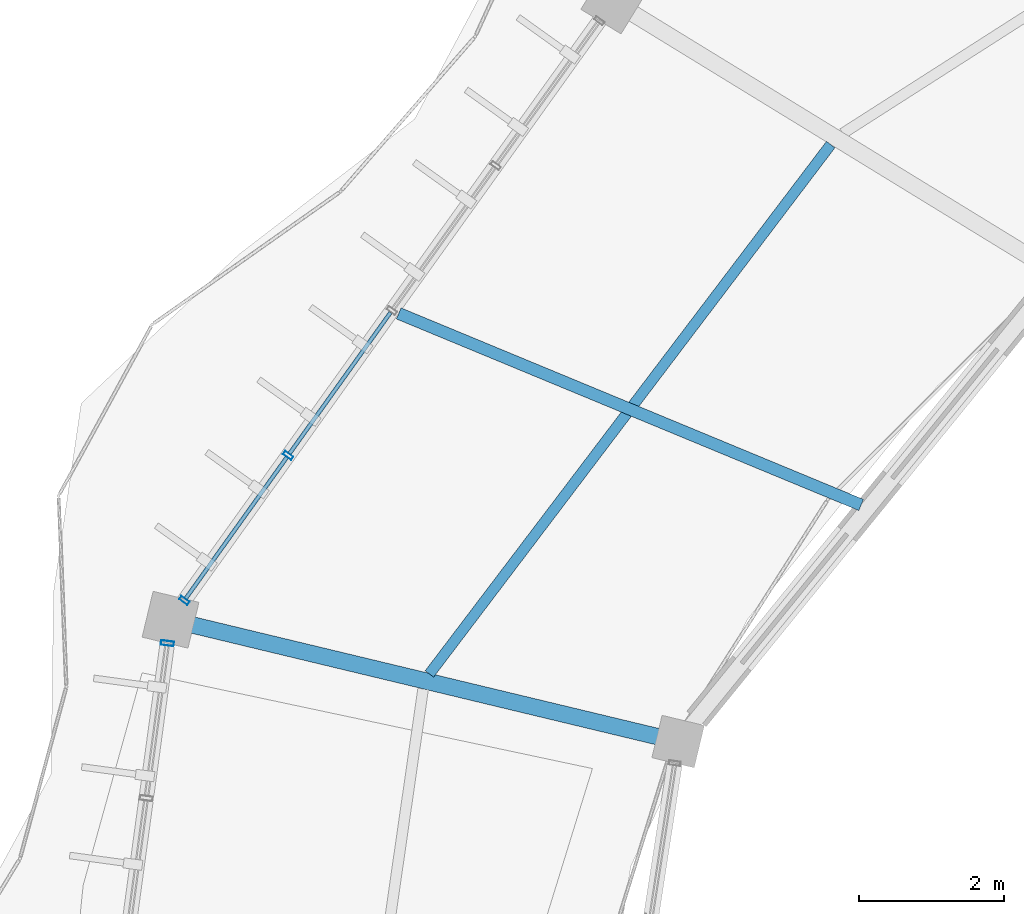
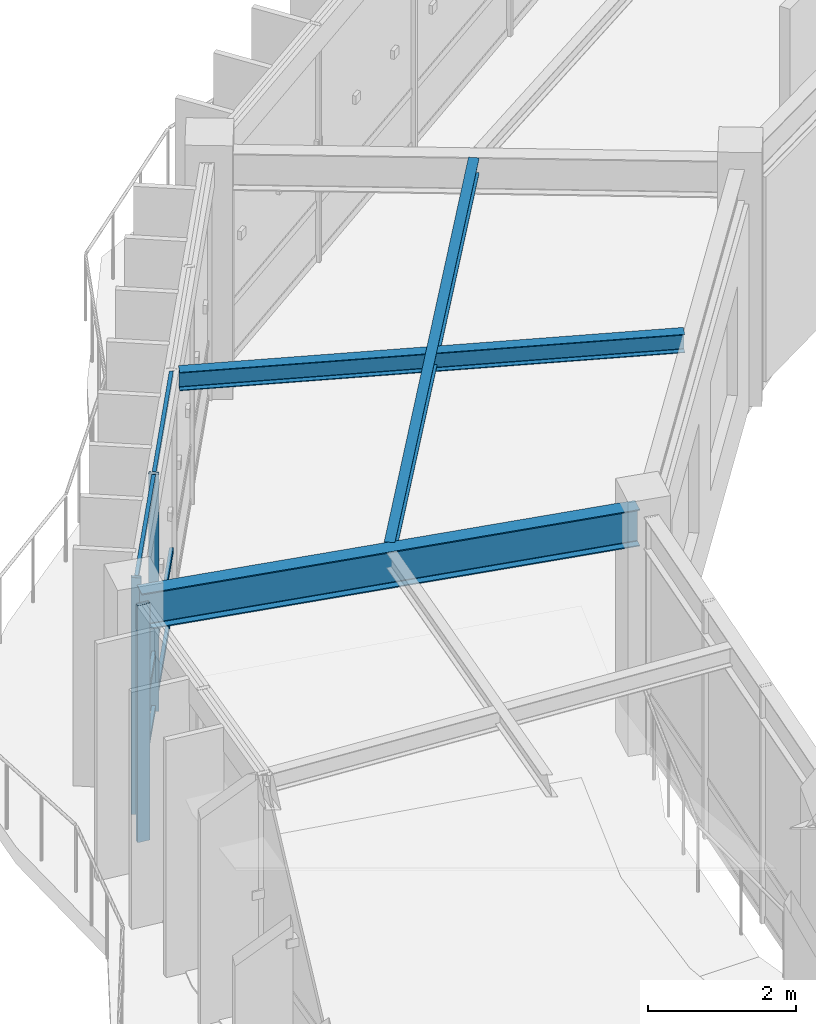
# One storey, part 37 of 114: 9 members, 3 beams, 2 elements without a shape of their own.
"""IFC4 building model written with IfcOpenShell, lengths in metres."""

from ifc_helpers import new_model, si_unit, direction, frame, origin, origin_2d, place, context, subcontext, project, spatial, hollow_rectangle, i_section, extrude, material, material_profile, profile_set, type_object, element, aggregate, save


model = new_model("IFC4")

# Units and contexts
model_context = context("Model", 3, precision=1e-05, world=origin(), true_north=direction((0.0, 1.0)))
body_context = subcontext(model_context, "Body", "Model", "MODEL_VIEW")
ifc_project = project(units=[si_unit("LENGTHUNIT", "METRE"), si_unit("AREAUNIT", "SQUARE_METRE"), si_unit("VOLUMEUNIT", "CUBIC_METRE"), si_unit("PLANEANGLEUNIT", "RADIAN"), si_unit("MASSUNIT", "GRAM", prefix="KILO"), si_unit("THERMODYNAMICTEMPERATUREUNIT", "KELVIN"), si_unit("POWERUNIT", "WATT")], contexts=[model_context])

# Site, building, storey
site_placement = place(None, origin())
site = spatial("IfcSite", under=ifc_project, at=site_placement, CompositionType="ELEMENT")
building_placement = place(site_placement, origin())
building = spatial("IfcBuilding", under=site, at=building_placement, Name="Darbajah Civic Hall", CompositionType="ELEMENT")
storey_placement = place(building_placement, frame((0.0, 0.0, 13.800048828125)))
storey = spatial("IfcBuildingStorey", under=building, at=storey_placement, Name="L03", CompositionType="ELEMENT", Elevation=13.800048828125)

# Curtain wall, members
ifc_material_1 = material(Name="Anodised Bronze Aluminium and Low-E Glazing", Category="aluminium")
curtain_wall_type_1 = type_object("IfcCurtainWallType", Name="Unitised Curtain Wall CW-44 9800x3900", PredefinedType="USERDEFINED", material=ifc_material_1)
curtain_wall_1_placement = place(storey_placement, origin())
curtain_wall_1 = element("IfcCurtainWall", 1, at=curtain_wall_1_placement, inside=storey, type_object=curtain_wall_type_1, Name="L03 unitised curtain wall CW-V1O-L03-08", ObjectType="UNITISED CURTAIN WALL", PredefinedType="USERDEFINED")
ifc_material_2 = material(Name="Anodised Bronze Aluminium", Category="aluminium")
ifc_material_profile_1 = material_profile(ifc_material_2, hollow_rectangle(XDim=0.054931640625, YDim=0.139892578125, WallThickness=0.003173828125, at=origin_2d()), Name="ALU MULLION 55x140")
ifc_profile_set_1 = profile_set([ifc_material_profile_1], Name="Anodised Bronze Aluminium")
member_type_1 = type_object("IfcMemberType", Name="ALU MULLION 55x140", PredefinedType="MULLION", material=ifc_profile_set_1)
member_1_placement = place(storey_placement, frame((41.130859375, 98.951416015625, 0.0), z_axis=(0.0, 0.0, 1.0), x_axis=(-0.582264874145, -0.812999149039, 0.0)))
member_1 = element("IfcMember", 2, at=member_1_placement, type_object=member_type_1, Name="CW-V1O-L03-08 mullion 4", PredefinedType="MULLION", context=body_context, shape_type="SweptSolid", body=[
    extrude(hollow_rectangle(XDim=0.054931640625, YDim=0.139892578125, WallThickness=0.003173828125, at=origin_2d()), origin(), (0.0, 0.0, 1.0), 3.919921875),
])
member_2_placement = place(storey_placement, frame((39.699462890625, 96.952392578125, 0.0), z_axis=(0.0, 0.0, 1.0), x_axis=(-0.582264874145, -0.812999149039, 0.0)))
member_2 = element("IfcMember", 3, at=member_2_placement, type_object=member_type_1, Name="CW-V1O-L03-08 mullion 5", PredefinedType="MULLION", context=body_context, shape_type="SweptSolid", body=[
    extrude(hollow_rectangle(XDim=0.054931640625, YDim=0.139892578125, WallThickness=0.003173828125, at=origin_2d()), origin(), (0.0, 0.0, 1.0), 3.919921875),
])

# Curtain wall, member
curtain_wall_type_2 = type_object("IfcCurtainWallType", Name="Unitised Curtain Wall CW-45 8600x3900", PredefinedType="USERDEFINED", material=ifc_material_1)
curtain_wall_2_placement = place(storey_placement, origin())
curtain_wall_2 = element("IfcCurtainWall", 4, at=curtain_wall_2_placement, inside=storey, type_object=curtain_wall_type_2, Name="L03 unitised curtain wall CW-V1O-L03-09", ObjectType="UNITISED CURTAIN WALL", PredefinedType="USERDEFINED")
ifc_material_profile_2 = material_profile(ifc_material_2, hollow_rectangle(XDim=0.06494140625, YDim=0.179931640625, WallThickness=0.00390625, at=origin_2d()), Name="ALU MULLION 65x180")
ifc_profile_set_2 = profile_set([ifc_material_profile_2], Name="Anodised Bronze Aluminium")
member_type_2 = type_object("IfcMemberType", Name="ALU MULLION 65x180", PredefinedType="MULLION", material=ifc_profile_set_2)
member_3_placement = place(storey_placement, frame((39.465087890625, 96.362548828125, 0.0), z_axis=(0.0, 0.0, 1.0), x_axis=(-0.134850930274, -0.990865897387, 0.0)))
member_3 = element("IfcMember", 5, at=member_3_placement, type_object=member_type_2, Name="CW-V1O-L03-09 mullion 1", PredefinedType="MULLION", context=body_context, shape_type="SweptSolid", body=[
    extrude(hollow_rectangle(XDim=0.06494140625, YDim=0.179931640625, WallThickness=0.00390625, at=origin_2d()), origin(), (0.0, 0.0, 1.0), 3.919921875),
])
aggregate(curtain_wall_2, [member_3])

# Member
ifc_material_profile_3 = material_profile(ifc_material_2, hollow_rectangle(XDim=0.054931640625, YDim=0.10009765625, WallThickness=0.0029296875, at=origin_2d()), Name="ALU TRANSOM 55x100")
ifc_profile_set_3 = profile_set([ifc_material_profile_3], Name="Anodised Bronze Aluminium")
member_type_3 = type_object("IfcMemberType", Name="ALU TRANSOM 55x100", PredefinedType="USERDEFINED", material=ifc_profile_set_3)
member_4_placement = place(storey_placement, frame((42.543212890625, 100.923583984375, 0.050048828125), z_axis=(-0.582193139226, -0.813050520348, 0.0), x_axis=(0.813050520348, -0.582193139226, 0.0)))
member_4 = element("IfcMember", 6, at=member_4_placement, type_object=member_type_3, Name="CW-V1O-L03-08 transom 3.1", ObjectType="TRANSOM", PredefinedType="USERDEFINED", context=body_context, shape_type="SweptSolid", body=[
    extrude(hollow_rectangle(XDim=0.054931640625, YDim=0.10009765625, WallThickness=0.0029296875, at=origin_2d()), origin(), (0.0, 0.0, 1.0), 2.393310546875),
])

member_5_placement = place(storey_placement, frame((42.543212890625, 100.923583984375, 0.949951171875), z_axis=(-0.582193139226, -0.813050520348, 0.0), x_axis=(0.813050520348, -0.582193139226, 0.0)))
member_5 = element("IfcMember", 7, at=member_5_placement, type_object=member_type_3, Name="CW-V1O-L03-08 transom 3.2", ObjectType="TRANSOM", PredefinedType="USERDEFINED", context=body_context, shape_type="SweptSolid", body=[
    extrude(hollow_rectangle(XDim=0.054931640625, YDim=0.10009765625, WallThickness=0.0029296875, at=origin_2d()), origin(), (0.0, 0.0, 1.0), 2.393310546875),
])

member_6_placement = place(storey_placement, frame((42.543212890625, 100.923583984375, 3.869873046875), z_axis=(-0.582193139226, -0.813050520348, 0.0), x_axis=(0.813050520348, -0.582193139226, 0.0)))
member_6 = element("IfcMember", 8, at=member_6_placement, type_object=member_type_3, Name="CW-V1O-L03-08 transom 3.3", ObjectType="TRANSOM", PredefinedType="USERDEFINED", context=body_context, shape_type="SweptSolid", body=[
    extrude(hollow_rectangle(XDim=0.054931640625, YDim=0.10009765625, WallThickness=0.0029296875, at=origin_2d()), origin(), (0.0, 0.0, 1.0), 2.393310546875),
])

member_7_placement = place(storey_placement, frame((41.112060546875, 98.9248046875, 0.050048828125), z_axis=(-0.582260569602, -0.813002231908, 0.0), x_axis=(0.813002231908, -0.582260569602, 0.0)))
member_7 = element("IfcMember", 9, at=member_7_placement, type_object=member_type_3, Name="CW-V1O-L03-08 transom 4.1", ObjectType="TRANSOM", PredefinedType="USERDEFINED", context=body_context, shape_type="SweptSolid", body=[
    extrude(hollow_rectangle(XDim=0.054931640625, YDim=0.10009765625, WallThickness=0.0029296875, at=origin_2d()), origin(), (0.0, 0.0, 1.0), 2.393310546875),
])

member_8_placement = place(storey_placement, frame((41.112060546875, 98.9248046875, 0.949951171875), z_axis=(-0.582260569602, -0.813002231908, 0.0), x_axis=(0.813002231908, -0.582260569602, 0.0)))
member_8 = element("IfcMember", 10, at=member_8_placement, type_object=member_type_3, Name="CW-V1O-L03-08 transom 4.2", ObjectType="TRANSOM", PredefinedType="USERDEFINED", context=body_context, shape_type="SweptSolid", body=[
    extrude(hollow_rectangle(XDim=0.054931640625, YDim=0.10009765625, WallThickness=0.0029296875, at=origin_2d()), origin(), (0.0, 0.0, 1.0), 2.393310546875),
])

member_9_placement = place(storey_placement, frame((41.112060546875, 98.9248046875, 3.869873046875), z_axis=(-0.582260569602, -0.813002231908, 0.0), x_axis=(0.813002231908, -0.582260569602, 0.0)))
member_9 = element("IfcMember", 11, at=member_9_placement, type_object=member_type_3, Name="CW-V1O-L03-08 transom 4.3", ObjectType="TRANSOM", PredefinedType="USERDEFINED", context=body_context, shape_type="SweptSolid", body=[
    extrude(hollow_rectangle(XDim=0.054931640625, YDim=0.10009765625, WallThickness=0.0029296875, at=origin_2d()), origin(), (0.0, 0.0, 1.0), 2.393310546875),
])

aggregate(curtain_wall_1, [member_1, member_2, member_4, member_5, member_6, member_7, member_8, member_9])

# Beams
ifc_material_3 = material(Name="Steel S355JR", Category="steel")
ifc_material_profile_4 = material_profile(ifc_material_3, i_section(OverallWidth=0.146484375, OverallDepth=0.256103515625, WebThickness=0.00634765625, FlangeThickness=0.010986328125, FilletRadius=0.007568359375, at=origin_2d()), Name="UB 254x146x37")
ifc_profile_set_4 = profile_set([ifc_material_profile_4], Name="Steel S355JR")
beam_type_1 = type_object("IfcBeamType", Name="UB 254x146x37", PredefinedType="JOIST", material=ifc_profile_set_4)
beam_1_placement = place(storey_placement, frame((48.61474609375, 103.240234375, 3.7919921875), z_axis=(-0.604114678665, -0.796897393032, 0.0), x_axis=(0.796897393032, -0.604114678665, 0.0)))
element("IfcBeam", 12, at=beam_1_placement, inside=storey, type_object=beam_type_1, Name="L03 beam SJ-254", PredefinedType="JOIST", context=body_context, shape_type="SweptSolid", body=[
    extrude(i_section(OverallWidth=0.146484375, OverallDepth=0.256103515625, WebThickness=0.00634765625, FlangeThickness=0.010986328125, FilletRadius=0.007568359375, at=origin_2d()), origin(), (0.0, 0.0, 1.0), 9.162353515625),
])
ifc_material_profile_5 = material_profile(ifc_material_3, i_section(OverallWidth=0.165771484375, OverallDepth=0.306640625, WebThickness=0.006591796875, FlangeThickness=0.01171875, FilletRadius=0.0087890625, at=origin_2d()), Name="UB 305x165x46")
ifc_profile_set_5 = profile_set([ifc_material_profile_5], Name="Steel S355JR")
beam_type_2 = type_object("IfcBeamType", Name="UB 305x165x46", PredefinedType="JOIST", material=ifc_profile_set_5)
beam_2_placement = place(storey_placement, frame((49.034423828125, 98.269287109375, 3.7666015625), z_axis=(-0.923878471007, 0.382685995053, 0.0), x_axis=(-0.382685995053, -0.923878471007, 0.0)))
element("IfcBeam", 13, at=beam_2_placement, inside=storey, type_object=beam_type_2, Name="L03 beam SJ-305", PredefinedType="JOIST", context=body_context, shape_type="SweptSolid", body=[
    extrude(i_section(OverallWidth=0.165771484375, OverallDepth=0.306640625, WebThickness=0.006591796875, FlangeThickness=0.01171875, FilletRadius=0.0087890625, at=origin_2d()), origin(), (0.0, 0.0, 1.0), 6.9033203125),
])
ifc_material_profile_6 = material_profile(ifc_material_3, i_section(OverallWidth=0.228271484375, OverallDepth=0.607666015625, WebThickness=0.010986328125, FlangeThickness=0.017333984375, FilletRadius=0.0126953125, at=origin_2d()), Name="UB 610x229x113")
ifc_profile_set_6 = profile_set([ifc_material_profile_6], Name="Steel S355JR")
beam_type_3 = type_object("IfcBeamType", Name="UB 610x229x113", PredefinedType="BEAM", material=ifc_profile_set_6)
beam_3_placement = place(storey_placement, frame((46.432373046875, 95.0244140625, 3.6162109375), z_axis=(-0.972366522162, 0.233459518071, 0.0), x_axis=(-0.233459518071, -0.972366522162, 0.0)))
element("IfcBeam", 14, at=beam_3_placement, inside=storey, type_object=beam_type_3, Name="L03 beam SB-610", PredefinedType="BEAM", context=body_context, shape_type="SweptSolid", body=[
    extrude(i_section(OverallWidth=0.228271484375, OverallDepth=0.607666015625, WebThickness=0.010986328125, FlangeThickness=0.017333984375, FilletRadius=0.0126953125, at=origin_2d()), origin(), (0.0, 0.0, 1.0), 7.0400390625),
])

save(model, "model.ifc")
